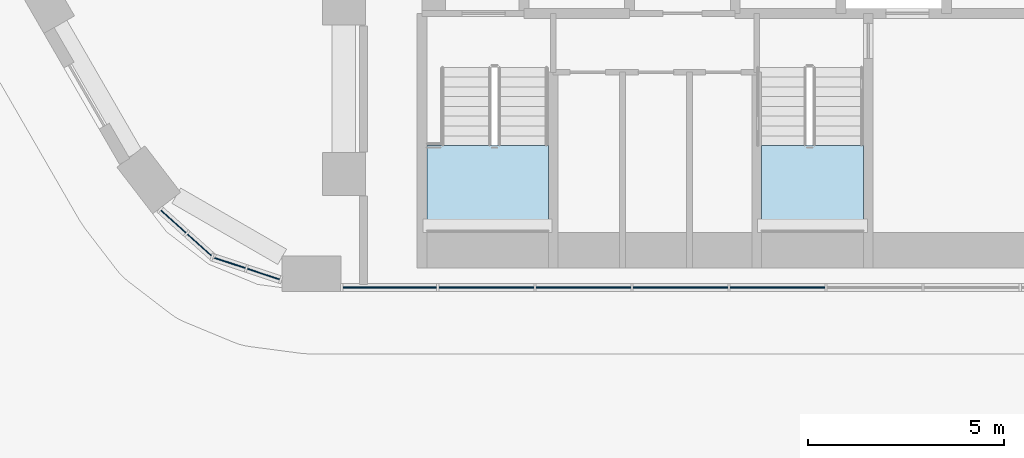
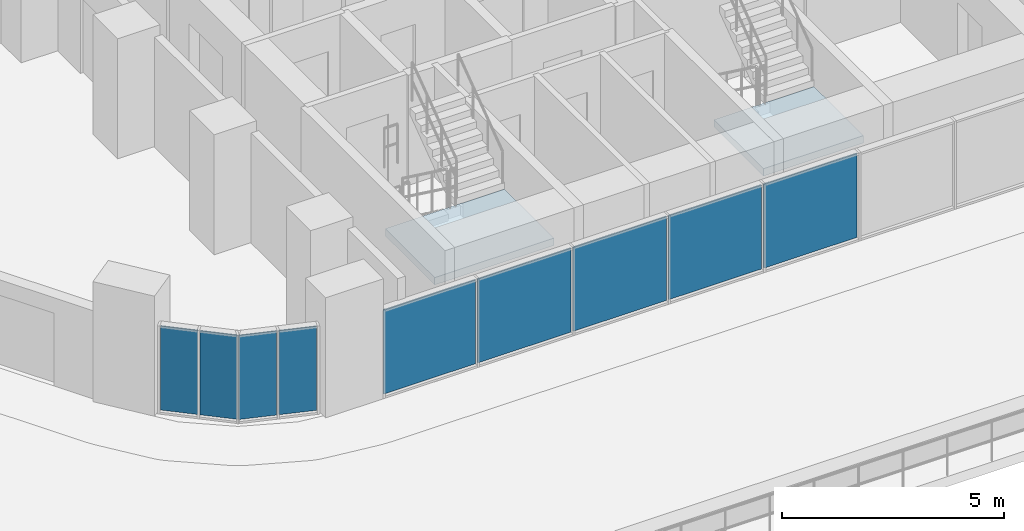
# One storey, part 6 of 24: 9 plates, 2 slabs, 5 elements without a shape of their own.
"""IFC4 building model written with IfcOpenShell, lengths in metres."""

from ifc_helpers import new_model, si_unit, direction, frame, origin, origin_2d, place, context, subcontext, project, spatial, polyline, rectangle, outline, extrude, material, layer, layer_set, type_object, element, aggregate, save


model = new_model("IFC4")

# Units and contexts
model_context = context("Model", 3, precision=1e-05, world=origin(), true_north=direction((0.0, 1.0)))
body_context = subcontext(model_context, "Body", "Model", "MODEL_VIEW")
ifc_project = project(units=[si_unit("LENGTHUNIT", "METRE"), si_unit("AREAUNIT", "SQUARE_METRE"), si_unit("VOLUMEUNIT", "CUBIC_METRE"), si_unit("PLANEANGLEUNIT", "RADIAN"), si_unit("MASSUNIT", "GRAM", prefix="KILO")], contexts=[model_context])

# Site, building, storey
site_placement = place(None, origin())
site = spatial("IfcSite", under=ifc_project, at=site_placement, CompositionType="ELEMENT")
building_placement = place(site_placement, origin())
building = spatial("IfcBuilding", under=site, at=building_placement, Name="Nakaniwa Court", CompositionType="ELEMENT")
storey_placement = place(building_placement, frame((0.0, 0.0, 28.199951171875)))
storey = spatial("IfcBuildingStorey", under=building, at=storey_placement, Name="L06", CompositionType="ELEMENT", Elevation=28.199951171875)

# Curtain wall, plates
ifc_material_1 = material(Name="Black anodised aluminium frame with dark low-E laminated double glazing", Category="aluminium")
ifc_layer_1 = layer(ifc_material_1, 0.199951171875)
ifc_layer_set_1 = layer_set([ifc_layer_1], Name="Black anodised aluminium frame with dark low-E laminated double glazing")
curtain_wall_type = type_object("IfcCurtainWallType", Name="Amenity and sky level curtain wall", PredefinedType="NOTDEFINED", material=ifc_layer_set_1)
curtain_wall_1_placement = place(storey_placement, origin())
curtain_wall_1 = element("IfcCurtainWall", 1, at=curtain_wall_1_placement, inside=storey, type_object=curtain_wall_type, Name="L06 curtain wall CW3 09", PredefinedType="NOTDEFINED")
ifc_material_2 = material(Name="Dark toughened glass", Category="glass")
ifc_layer_2 = layer(ifc_material_2, 0.006, Name="Outer pane")
ifc_material_3 = material(Name="Argon filled cavity")
ifc_layer_3 = layer(ifc_material_3, 0.016, Name="Cavity")
ifc_material_4 = material(Name="Dark laminated safety glass", Category="glass")
ifc_layer_4 = layer(ifc_material_4, 0.006, Name="Inner pane")
ifc_layer_set_2 = layer_set([ifc_layer_2, ifc_layer_3, ifc_layer_4], Name="Dark low-E laminated double glazing")
plate_type = type_object("IfcPlateType", Name="Amenity and sky level curtain wall glass panel", PredefinedType="CURTAIN_PANEL", material=ifc_layer_set_2)
plate_1_placement = place(storey_placement, frame((65.646240234375, 57.7822265625, 0.05517578125), z_axis=(0.0, 0.0, 1.0), x_axis=(0.743574743463, -0.668652825377, 0.0)))
plate_1 = element("IfcPlate", 2, at=plate_1_placement, type_object=plate_type, Name="CW3 panel 1.1", PredefinedType="CURTAIN_PANEL", context=body_context, shape_type="SweptSolid", body=[
    extrude(rectangle(XDim=0.8564453125, YDim=0.028076171875, at=origin_2d()), origin(), (0.0, 0.0, 1.0), 2.31494140625),
])
plate_2_placement = place(storey_placement, frame((66.323974609375, 57.172607421875, 0.05517578125), z_axis=(0.0, 0.0, 1.0), x_axis=(0.743574743463, -0.668652825377, 0.0)))
plate_2 = element("IfcPlate", 3, at=plate_2_placement, type_object=plate_type, Name="CW3 panel 2.1", PredefinedType="CURTAIN_PANEL", context=body_context, shape_type="SweptSolid", body=[
    extrude(rectangle(XDim=0.8564453125, YDim=0.028076171875, at=origin_2d()), origin(), (0.0, 0.0, 1.0), 2.31494140625),
])
aggregate(curtain_wall_1, [plate_1, plate_2])

curtain_wall_2_placement = place(storey_placement, origin())
curtain_wall_2 = element("IfcCurtainWall", 4, at=curtain_wall_2_placement, inside=storey, type_object=curtain_wall_type, Name="L06 curtain wall CW3 10", PredefinedType="NOTDEFINED")
plate_3_placement = place(storey_placement, frame((67.072509765625, 56.7314453125, 0.05517578125), z_axis=(0.0, 0.0, 1.0), x_axis=(0.949265408236, -0.314476047939, 0.0)))
plate_3 = element("IfcPlate", 5, at=plate_3_placement, type_object=plate_type, Name="CW3 panel 1.1", PredefinedType="CURTAIN_PANEL", context=body_context, shape_type="SweptSolid", body=[
    extrude(rectangle(XDim=0.868408203125, YDim=0.028076171875, at=origin_2d()), origin(), (0.0, 0.0, 1.0), 2.31494140625),
])
plate_4_placement = place(storey_placement, frame((67.948974609375, 56.441162109375, 0.05517578125), z_axis=(0.0, 0.0, 1.0), x_axis=(0.949265408236, -0.314476047939, 0.0)))
plate_4 = element("IfcPlate", 6, at=plate_4_placement, type_object=plate_type, Name="CW3 panel 2.1", PredefinedType="CURTAIN_PANEL", context=body_context, shape_type="SweptSolid", body=[
    extrude(rectangle(XDim=0.868408203125, YDim=0.028076171875, at=origin_2d()), origin(), (0.0, 0.0, 1.0), 2.31494140625),
])
aggregate(curtain_wall_2, [plate_3, plate_4])

curtain_wall_3_placement = place(storey_placement, origin())
curtain_wall_3 = element("IfcCurtainWall", 7, at=curtain_wall_3_placement, inside=storey, type_object=curtain_wall_type, Name="L06 curtain wall CW3 11", PredefinedType="NOTDEFINED")
plate_5_placement = place(storey_placement, frame((71.175048828125, 56.10009765625, 0.05517578125), z_axis=(0.0, 0.0, 1.0), x_axis=(1.0, 0.0, 0.0)))
plate_5 = element("IfcPlate", 8, at=plate_5_placement, type_object=plate_type, Name="CW3 panel 1.1", PredefinedType="CURTAIN_PANEL", context=body_context, shape_type="SweptSolid", body=[
    extrude(rectangle(XDim=2.3974609375, YDim=0.028076171875, at=origin_2d()), origin(), (0.0, 0.0, 1.0), 2.31494140625),
])
plate_6_placement = place(storey_placement, frame((73.641357421875, 56.10009765625, 0.05517578125), z_axis=(0.0, 0.0, 1.0), x_axis=(1.0, 0.0, 0.0)))
plate_6 = element("IfcPlate", 9, at=plate_6_placement, type_object=plate_type, Name="CW3 panel 2.1", PredefinedType="CURTAIN_PANEL", context=body_context, shape_type="SweptSolid", body=[
    extrude(rectangle(XDim=2.425048828125, YDim=0.028076171875, at=origin_2d()), origin(), (0.0, 0.0, 1.0), 2.31494140625),
])
plate_7_placement = place(storey_placement, frame((76.121337890625, 56.10009765625, 0.05517578125), z_axis=(0.0, 0.0, 1.0), x_axis=(1.0, 0.0, 0.0)))
plate_7 = element("IfcPlate", 10, at=plate_7_placement, type_object=plate_type, Name="CW3 panel 3.1", PredefinedType="CURTAIN_PANEL", context=body_context, shape_type="SweptSolid", body=[
    extrude(rectangle(XDim=2.425048828125, YDim=0.028076171875, at=origin_2d()), origin(), (0.0, 0.0, 1.0), 2.31494140625),
])
plate_8_placement = place(storey_placement, frame((78.601318359375, 56.10009765625, 0.05517578125), z_axis=(0.0, 0.0, 1.0), x_axis=(1.0, 0.0, 0.0)))
plate_8 = element("IfcPlate", 11, at=plate_8_placement, type_object=plate_type, Name="CW3 panel 4.1", PredefinedType="CURTAIN_PANEL", context=body_context, shape_type="SweptSolid", body=[
    extrude(rectangle(XDim=2.425048828125, YDim=0.028076171875, at=origin_2d()), origin(), (0.0, 0.0, 1.0), 2.31494140625),
])
plate_9_placement = place(storey_placement, frame((81.081298828125, 56.10009765625, 0.05517578125), z_axis=(0.0, 0.0, 1.0), x_axis=(1.0, 0.0, 0.0)))
plate_9 = element("IfcPlate", 12, at=plate_9_placement, type_object=plate_type, Name="CW3 panel 5.1", PredefinedType="CURTAIN_PANEL", context=body_context, shape_type="SweptSolid", body=[
    extrude(rectangle(XDim=2.425048828125, YDim=0.028076171875, at=origin_2d()), origin(), (0.0, 0.0, 1.0), 2.31494140625),
])
aggregate(curtain_wall_3, [plate_5, plate_6, plate_7, plate_8, plate_9])

# Stair, slab
ifc_material_5 = material(Name="Concrete C80/100", Category="concrete")
stair_type = type_object("IfcStairType", Name="Dog leg stair 1300 wide 18 risers", PredefinedType="HALF_TURN_STAIR", material=ifc_material_5)
stair_1_placement = place(storey_placement, origin())
stair_1 = element("IfcStair", 13, at=stair_1_placement, inside=storey, type_object=stair_type, Name="L06 Stair ST3", PredefinedType="HALF_TURN_STAIR")
ifc_layer_5 = layer(ifc_material_5, 0.199951171875)
ifc_layer_set_3 = layer_set([ifc_layer_5], Name="Concrete C80/100")
slab_type = type_object("IfcSlabType", Name="Stair landing concrete", PredefinedType="LANDING", material=ifc_layer_set_3)
slab_1_placement = place(storey_placement, frame((0.0, 0.0, 1.449951171875)))
slab_1 = element("IfcSlab", 14, at=slab_1_placement, type_object=slab_type, Name="ST3 landing 1", PredefinedType="LANDING", context=body_context, shape_type="SweptSolid", body=[
    extrude(outline(polyline([(75.22509765625, 57.5), (75.22509765625, 59.72509765625), (72.125, 59.72509765625), (72.125, 57.5), (75.22509765625, 57.5)])), origin(), (0.0, 0.0, 1.0), 0.2001953125),
])
aggregate(stair_1, [slab_1])

stair_2_placement = place(storey_placement, origin())
stair_2 = element("IfcStair", 15, at=stair_2_placement, inside=storey, type_object=stair_type, Name="L06 Stair ST4", PredefinedType="HALF_TURN_STAIR")
slab_2_placement = place(storey_placement, frame((0.0, 0.0, 1.449951171875)))
slab_2 = element("IfcSlab", 16, at=slab_2_placement, type_object=slab_type, Name="ST4 landing 1", PredefinedType="LANDING", context=body_context, shape_type="SweptSolid", body=[
    extrude(outline(polyline([(83.27490234375, 57.5), (83.27490234375, 59.72509765625), (80.675048828125, 59.72509765625), (80.675048828125, 57.5), (83.27490234375, 57.5)])), origin(), (0.0, 0.0, 1.0), 0.2001953125),
])
aggregate(stair_2, [slab_2])

save(model, "model.ifc")
